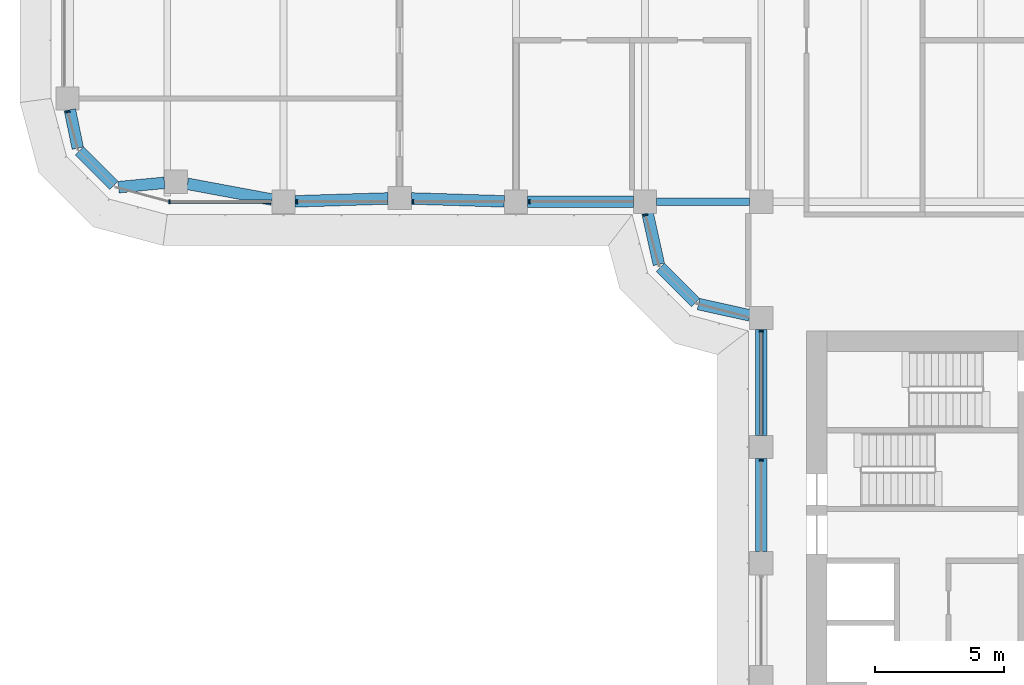
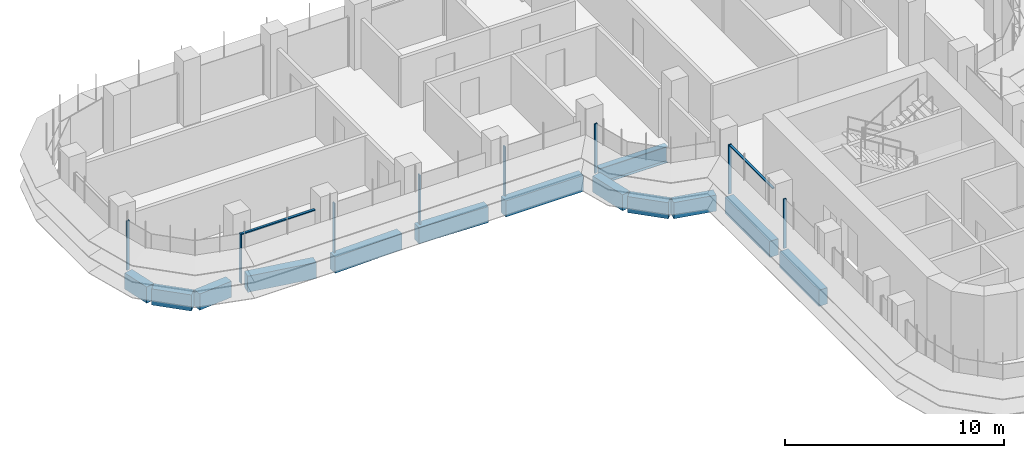
# One storey, part 3 of 22: 13 beams, 10 members, 4 elements without a shape of their own.
"""IFC4 building model written with IfcOpenShell, lengths in metres."""

from ifc_helpers import new_model, si_unit, direction, frame, origin, origin_2d, place, context, subcontext, project, spatial, polyline, rectangle, i_section, outline, extrude, source, transform, mapped, material, material_profile, profile_set, type_object, element, aggregate, save


model = new_model("IFC4")

# Units and contexts
model_context = context("Model", 3, precision=1e-05, world=origin(), true_north=direction((0.0, 1.0)))
body_context = subcontext(model_context, "Body", "Model", "MODEL_VIEW")
ifc_project = project(units=[si_unit("LENGTHUNIT", "METRE"), si_unit("AREAUNIT", "SQUARE_METRE"), si_unit("VOLUMEUNIT", "CUBIC_METRE"), si_unit("PLANEANGLEUNIT", "RADIAN"), si_unit("MASSUNIT", "GRAM", prefix="KILO")], contexts=[model_context])

# Site, building, storey
site_placement = place(None, origin())
site = spatial("IfcSite", under=ifc_project, at=site_placement, CompositionType="ELEMENT")
building_placement = place(site_placement, origin())
building = spatial("IfcBuilding", under=site, at=building_placement, Name="Zarbagh Exchange Tower", CompositionType="ELEMENT")
storey_placement = place(building_placement, frame((0.0, 0.0, 105.60009765625)))
storey = spatial("IfcBuildingStorey", under=building, at=storey_placement, Name="L24", CompositionType="ELEMENT", Elevation=105.60009765625)

# Beams
ifc_material_1 = material(Name="Steel ASTM A992 Gr 50", Category="steel")
ifc_material_profile_1 = material_profile(ifc_material_1, i_section(OverallWidth=0.3046875, OverallDepth=0.911865234375, WebThickness=0.015869140625, FlangeThickness=0.02392578125, at=origin_2d()), Name="W36X150")
ifc_profile_set_1 = profile_set([ifc_material_profile_1], Name="Steel ASTM A992 Gr 50")
beam_type_1 = type_object("IfcBeamType", Name="Floor girder W36X150", PredefinedType="BEAM", material=ifc_profile_set_1)
beam_1_placement = place(storey_placement, frame((-10.300048828125, -6.25, -0.60595703125), z_axis=(1.0, 0.0, 0.0), x_axis=(0.0, 1.0, 0.0)))
element("IfcBeam", 1, at=beam_1_placement, inside=storey, type_object=beam_type_1, Name="Steel girder", PredefinedType="BEAM", context=body_context, shape_type="SweptSolid", body=[
    extrude(i_section(OverallWidth=0.3046875, OverallDepth=0.911865234375, WebThickness=0.015869140625, FlangeThickness=0.02392578125, at=origin_2d()), origin(), (0.0, 0.0, 1.0), 3.60009765625),
])
ifc_material_2 = material(Name="Concrete C60/75", Category="concrete")
ifc_material_profile_2 = material_profile(ifc_material_2, rectangle(XDim=0.449951171875, YDim=0.89990234375, at=origin_2d()), Name="RC spandrel beam 450 x 900 C60/75")
ifc_profile_set_2 = profile_set([ifc_material_profile_2], Name="Concrete C60/75")
beam_type_2 = type_object("IfcBeamType", Name="RC spandrel beam 450 x 900 C60/75", PredefinedType="SPANDREL", material=ifc_profile_set_2)
beam_2_placement = place(storey_placement, frame((-6.25, -19.800048828125, -0.60009765625), z_axis=(0.0, 1.0, 0.0), x_axis=(-1.0, 0.0, 0.0)))
element("IfcBeam", 2, at=beam_2_placement, inside=storey, type_object=beam_type_2, Name="RC spandrel beam", PredefinedType="SPANDREL", context=body_context, shape_type="SweptSolid", body=[
    extrude(rectangle(XDim=0.449951171875, YDim=0.89990234375, at=origin_2d()), origin(), (0.0, 0.0, 1.0), 3.60009765625),
])
beam_3_placement = place(storey_placement, frame((-6.25, -15.300048828125, -0.60009765625), z_axis=(0.0, 1.0, 0.0), x_axis=(-1.0, 0.0, 0.0)))
element("IfcBeam", 3, at=beam_3_placement, inside=storey, type_object=beam_type_2, Name="RC spandrel beam", PredefinedType="SPANDREL", context=body_context, shape_type="SweptSolid", body=[
    extrude(rectangle(XDim=0.449951171875, YDim=0.89990234375, at=origin_2d()), origin(), (0.0, 0.0, 1.0), 4.10009765625),
])
beam_4_placement = place(storey_placement, frame((-6.689453125, -10.65283203125, -0.60009765625), z_axis=(-0.976367325525, 0.216117666208, 0.0), x_axis=(-0.216117666208, -0.976367325525, 0.0)))
element("IfcBeam", 4, at=beam_4_placement, inside=storey, type_object=beam_type_2, Name="RC spandrel beam", PredefinedType="SPANDREL", context=body_context, shape_type="SweptSolid", body=[
    extrude(rectangle(XDim=0.449951171875, YDim=0.89990234375, at=origin_2d()), origin(), (0.0, 0.0, 1.0), 2.03564453125),
])
beam_5_placement = place(storey_placement, frame((-8.78759765625, -10.15234375, -0.60009765625), z_axis=(-0.707106781187, 0.707106781187, 0.0), x_axis=(-0.707106781187, -0.707106781187, 0.0)))
element("IfcBeam", 5, at=beam_5_placement, inside=storey, type_object=beam_type_2, Name="RC spandrel beam", PredefinedType="SPANDREL", context=body_context, shape_type="SweptSolid", body=[
    extrude(rectangle(XDim=0.449951171875, YDim=0.89990234375, at=origin_2d()), origin(), (0.0, 0.0, 1.0), 1.929931640625),
])
beam_6_placement = place(storey_placement, frame((-10.212890625, -8.677001953125, -0.60009765625), z_axis=(-0.216117666208, 0.976367325525, 0.0), x_axis=(-0.976367325525, -0.216117666208, 0.0)))
element("IfcBeam", 6, at=beam_6_placement, inside=storey, type_object=beam_type_2, Name="RC spandrel beam", PredefinedType="SPANDREL", context=body_context, shape_type="SweptSolid", body=[
    extrude(rectangle(XDim=0.449951171875, YDim=0.89990234375, at=origin_2d()), origin(), (0.0, 0.0, 1.0), 2.03564453125),
])
beam_7_placement = place(storey_placement, frame((-11.199951171875, -6.25, -0.60009765625), z_axis=(-1.0, 0.0, 0.0), x_axis=(0.0, -1.0, 0.0)))
element("IfcBeam", 7, at=beam_7_placement, inside=storey, type_object=beam_type_2, Name="RC spandrel beam", PredefinedType="SPANDREL", context=body_context, shape_type="SweptSolid", body=[
    extrude(rectangle(XDim=0.449951171875, YDim=0.89990234375, at=origin_2d()), origin(), (0.0, 0.0, 1.0), 4.10009765625),
])
for number, where, z_axis, x_axis, name in (
    (8, (-16.19970703125, -6.236083984375, -0.60009765625), (-0.999516035224, 0.031107801747, 0.0), (-0.031107801747, -0.999516035224, 0.0), "RC spandrel beam"),
    (9, (-20.69970703125, -6.1240234375, -0.60009765625), (-0.999516035224, -0.031107801747, 0.0), (0.031107801747, -0.999516035224, 0.0), "RC spandrel beam"),
):
    element("IfcBeam", number, at=place(storey_placement, frame(where, z_axis=z_axis, x_axis=x_axis)), inside=storey, type_object=beam_type_2, Name=name, PredefinedType="SPANDREL", context=body_context, shape_type="SweptSolid", body=[
        extrude(rectangle(XDim=0.449951171875, YDim=0.89990234375, at=origin_2d()), origin(), (0.0, 0.0, 1.0), 3.602294921875),
    ])
beam_8_placement = place(storey_placement, frame((-25.1923828125, -6.16748046875, -0.60009765625), z_axis=(-0.98308156541, 0.183168326277, 0.0), x_axis=(-0.183168326277, -0.98308156541, 0.0)))
element("IfcBeam", 10, at=beam_8_placement, inside=storey, type_object=beam_type_2, Name="RC spandrel beam", PredefinedType="SPANDREL", context=body_context, shape_type="SweptSolid", body=[
    extrude(rectangle(XDim=0.449951171875, YDim=0.89990234375, at=origin_2d()), origin(), (0.0, 0.0, 1.0), 3.32958984375),
])
beam_9_placement = place(storey_placement, frame((-29.35595703125, -5.51806640625, -0.60009765625), z_axis=(-0.995433267802, -0.095459988228, 0.0), x_axis=(0.095459988228, -0.995433267802, 0.0)))
element("IfcBeam", 11, at=beam_9_placement, inside=storey, type_object=beam_type_2, Name="RC spandrel beam", PredefinedType="SPANDREL", context=body_context, shape_type="SweptSolid", body=[
    extrude(rectangle(XDim=0.449951171875, YDim=0.89990234375, at=origin_2d()), origin(), (0.0, 0.0, 1.0), 1.78759765625),
])
beam_10_placement = place(storey_placement, frame((-31.316162109375, -5.623779296875, -0.60009765625), z_axis=(-0.707106781187, 0.707106781187, 0.0), x_axis=(-0.707106781187, -0.707106781187, 0.0)))
element("IfcBeam", 12, at=beam_10_placement, inside=storey, type_object=beam_type_2, Name="RC spandrel beam", PredefinedType="SPANDREL", context=body_context, shape_type="SweptSolid", body=[
    extrude(rectangle(XDim=0.449951171875, YDim=0.89990234375, at=origin_2d()), origin(), (0.0, 0.0, 1.0), 1.887939453125),
])
beam_11_placement = place(storey_placement, frame((-32.71240234375, -4.17529296875, -0.60009765625), z_axis=(-0.202275417995, 0.979328675816, 0.0), x_axis=(-0.979328675816, -0.202275417995, 0.0)))
element("IfcBeam", 13, at=beam_11_placement, inside=storey, type_object=beam_type_2, Name="RC spandrel beam", PredefinedType="SPANDREL", context=body_context, shape_type="SweptSolid", body=[
    extrude(rectangle(XDim=0.449951171875, YDim=0.89990234375, at=origin_2d()), origin(), (0.0, 0.0, 1.0), 1.515869140625),
])

# Curtain wall, member
ifc_material_3 = material(Name="Anodised aluminium frame and glazing", Category="aluminium")
curtain_wall_type = type_object("IfcCurtainWallType", Name="CWA Ribbon glazing, lower zones", PredefinedType="NOTDEFINED", material=ifc_material_3)
curtain_wall_1_placement = place(storey_placement, origin())
curtain_wall_1 = element("IfcCurtainWall", 14, at=curtain_wall_1_placement, inside=storey, type_object=curtain_wall_type, Name="CWA37 curtain wall", PredefinedType="NOTDEFINED")
ifc_material_4 = material(Name="Anodised aluminium frame", Category="aluminium")
member_type_1 = type_object("IfcMemberType", Name="MUA Mullion, anodised aluminium frame", PredefinedType="MULLION", material=ifc_material_4)
shared_shape_1 = source(origin(), body_context, "Body", "SweptSolid", [
    extrude(outline(polyline([(0.0, -0.080078125), (0.06005859375, -0.080078125), (0.06005859375, 0.080078125), (0.0, 0.080078125), (0.0, -0.080078125)])), origin(), (0.0, 0.0, 1.0), 2.75),
])
placement = place(storey_placement, origin())
member_1 = element("IfcMember", 15, at=placement, type_object=member_type_1, Name="CWA37 mullion 1.1", PredefinedType="MULLION", context=body_context, shape_type="MappedRepresentation", body=[
    mapped(shared_shape_1, transform((-33.10107421875, -2.739990234375, 0.0), x_axis=(0.258824779902, -0.965924289636, 0.0), y_axis=(0.965924289636, 0.258824779902, 0.0), z_axis=(0.0, 0.0, 1.0))),
])
aggregate(curtain_wall_1, [member_1])

# Curtain wall, members
curtain_wall_2_placement = place(storey_placement, origin())
curtain_wall_2 = element("IfcCurtainWall", 16, at=curtain_wall_2_placement, inside=storey, type_object=curtain_wall_type, Name="CWA40 curtain wall", PredefinedType="NOTDEFINED")
member_2 = element("IfcMember", 17, at=placement, type_object=member_type_1, Name="CWA40 mullion 1.1", PredefinedType="MULLION", context=body_context, shape_type="MappedRepresentation", body=[
    mapped(shared_shape_1, transform((-29.18408203125, -6.25, 0.0), x_axis=(1.0, 0.0, 0.0), y_axis=(0.0, 1.0, 0.0), z_axis=(0.0, 0.0, 1.0))),
])
member_3 = element("IfcMember", 18, at=placement, type_object=member_type_1, Name="CWA40 mullion 2.1", PredefinedType="MULLION", context=body_context, shape_type="MappedRepresentation", body=[
    mapped(shared_shape_1, transform((-24.260009765625, -6.25, 0.0), x_axis=(1.0, 0.0, 0.0), y_axis=(0.0, 1.0, 0.0), z_axis=(0.0, 0.0, 1.0))),
])
member_4 = element("IfcMember", 19, at=placement, type_object=member_type_1, Name="CWA40 mullion 3.1", PredefinedType="MULLION", context=body_context, shape_type="MappedRepresentation", body=[
    mapped(shared_shape_1, transform((-19.760009765625, -6.25, 0.0), x_axis=(1.0, 0.0, 0.0), y_axis=(0.0, 1.0, 0.0), z_axis=(0.0, 0.0, 1.0))),
])
member_5 = element("IfcMember", 20, at=placement, type_object=member_type_1, Name="CWA40 mullion 4.1", PredefinedType="MULLION", context=body_context, shape_type="MappedRepresentation", body=[
    mapped(shared_shape_1, transform((-15.260009765625, -6.25, 0.0), x_axis=(1.0, 0.0, 0.0), y_axis=(0.0, 1.0, 0.0), z_axis=(0.0, 0.0, 1.0))),
])

# Curtain wall, member
curtain_wall_3_placement = place(storey_placement, origin())
curtain_wall_3 = element("IfcCurtainWall", 21, at=curtain_wall_3_placement, inside=storey, type_object=curtain_wall_type, Name="CWA41 curtain wall", PredefinedType="NOTDEFINED")
member_6 = element("IfcMember", 22, at=placement, type_object=member_type_1, Name="CWA41 mullion 1.1", PredefinedType="MULLION", context=body_context, shape_type="MappedRepresentation", body=[
    mapped(shared_shape_1, transform((-10.735107421875, -6.739990234375, 0.0), x_axis=(0.258824779902, -0.965924289636, 0.0), y_axis=(0.965924289636, 0.258824779902, 0.0), z_axis=(0.0, 0.0, 1.0))),
])
aggregate(curtain_wall_3, [member_6])

# Curtain wall, members
curtain_wall_4_placement = place(storey_placement, origin())
curtain_wall_4 = element("IfcCurtainWall", 23, at=curtain_wall_4_placement, inside=storey, type_object=curtain_wall_type, Name="CWA44 curtain wall", PredefinedType="NOTDEFINED")
member_7 = element("IfcMember", 24, at=placement, type_object=member_type_1, Name="CWA44 mullion 1.1", PredefinedType="MULLION", context=body_context, shape_type="MappedRepresentation", body=[
    mapped(shared_shape_1, transform((-6.25, -11.239990234375, 0.0), x_axis=(0.0, -1.0, 0.0), y_axis=(1.0, 0.0, 0.0), z_axis=(0.0, 0.0, 1.0))),
])
member_8 = element("IfcMember", 25, at=placement, type_object=member_type_1, Name="CWA44 mullion 2.1", PredefinedType="MULLION", context=body_context, shape_type="MappedRepresentation", body=[
    mapped(shared_shape_1, transform((-6.25, -16.239990234375, 0.0), x_axis=(0.0, -1.0, 0.0), y_axis=(1.0, 0.0, 0.0), z_axis=(0.0, 0.0, 1.0))),
])
member_type_2 = type_object("IfcMemberType", Name="TRA Transom, anodised aluminium frame", PredefinedType="USERDEFINED", material=ifc_material_4)
shared_shape_2 = source(origin(), body_context, "Body", "SweptSolid", [
    extrude(outline(polyline([(-0.06005859375, -0.06005859375), (0.0, -0.06005859375), (0.0, 0.06005859375), (-0.06005859375, 0.06005859375), (-0.06005859375, -0.06005859375)])), origin(), (0.0, 0.0, 1.0), 3.9599609375),
])
member_9 = element("IfcMember", 26, at=placement, type_object=member_type_2, Name="CWA44 transom 1.1", ObjectType="TRANSOM", PredefinedType="USERDEFINED", context=body_context, shape_type="MappedRepresentation", body=[
    mapped(shared_shape_2, transform((-6.25, -11.300048828125, 2.75), x_axis=(0.0, 0.0, 1.0), y_axis=(-1.0, 0.0, 0.0), z_axis=(0.0, -1.0, 0.0))),
])
aggregate(curtain_wall_4, [member_7, member_9, member_8])

# Member
shared_shape_3 = source(origin(), body_context, "Body", "SweptSolid", [
    extrude(outline(polyline([(-0.06005859375, -0.06005859375), (0.0, -0.06005859375), (0.0, 0.06005859375), (-0.06005859375, 0.06005859375), (-0.06005859375, -0.06005859375)])), origin(), (0.0, 0.0, 1.0), 3.88427734375),
])
member_10 = element("IfcMember", 27, at=placement, type_object=member_type_2, Name="CWA40 transom 1.1", ObjectType="TRANSOM", PredefinedType="USERDEFINED", context=body_context, shape_type="MappedRepresentation", body=[
    mapped(shared_shape_3, transform((-29.124267578125, -6.25, 2.75), x_axis=(0.0, 0.0, 1.0), y_axis=(0.0, -1.0, 0.0), z_axis=(1.0, 0.0, 0.0))),
])

aggregate(curtain_wall_2, [member_2, member_10, member_3, member_4, member_5])

save(model, "model.ifc")
